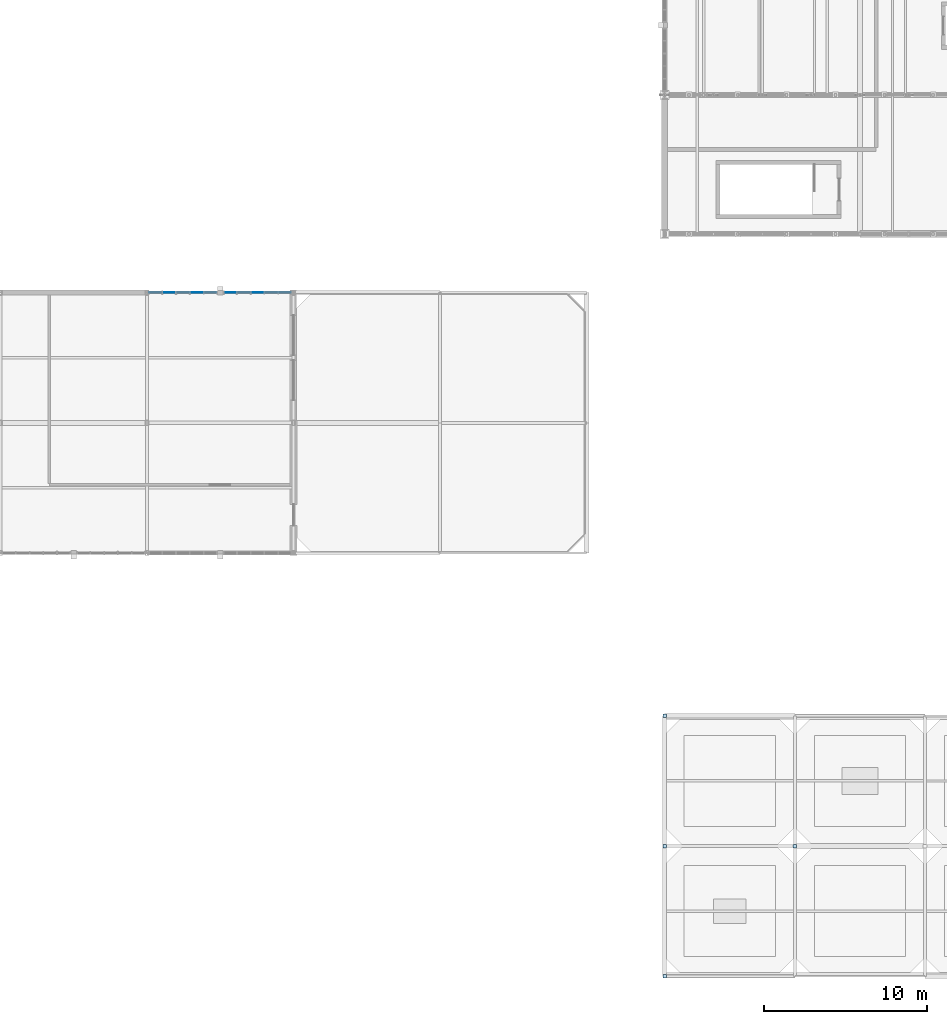
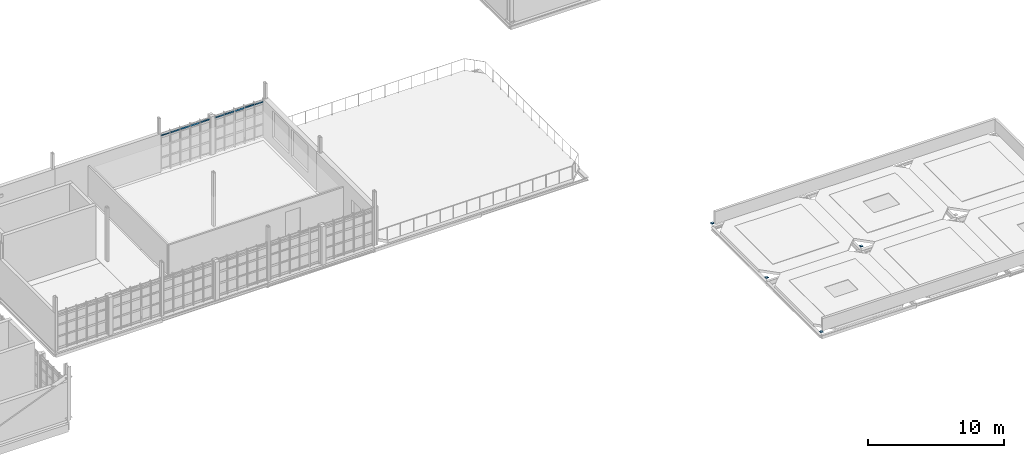
# One storey, part 103 of 128: 14 plates, 2 elements without a shape of their own.
"""IFC4 building model written with IfcOpenShell, lengths in metres."""

from ifc_helpers import new_model, si_unit, direction, frame, origin, origin_2d, place, context, subcontext, project, spatial, rectangle, extrude, material, layer, layer_set, type_object, element, aggregate, save


model = new_model("IFC4")

# Units and contexts
model_context = context("Model", 3, precision=1e-05, world=origin(), true_north=direction((0.0, 1.0)))
body_context = subcontext(model_context, "Body", "Model", "MODEL_VIEW")
ifc_project = project(units=[si_unit("LENGTHUNIT", "METRE"), si_unit("AREAUNIT", "SQUARE_METRE"), si_unit("VOLUMEUNIT", "CUBIC_METRE"), si_unit("PLANEANGLEUNIT", "RADIAN"), si_unit("MASSUNIT", "GRAM", prefix="KILO")], contexts=[model_context])

# Site, building, storey
site_placement = place(None, origin())
site = spatial("IfcSite", under=ifc_project, at=site_placement, CompositionType="ELEMENT")
building_placement = place(site_placement, origin())
building = spatial("IfcBuilding", under=site, at=building_placement, Name="Serraforn Aerial Cableway Station", CompositionType="ELEMENT")
storey_placement = place(building_placement, frame((0.0, 0.0, 9.0)))
storey = spatial("IfcBuildingStorey", under=building, at=storey_placement, Name="L02", CompositionType="ELEMENT", Elevation=9.0)

# Curtain wall, plate
ifc_material_1 = material(Name="Anodised bronze unitised curtain wall")
curtain_wall_type_1 = type_object("IfcCurtainWallType", Name="CW-SYS-1", PredefinedType="USERDEFINED", material=ifc_material_1)
curtain_wall_1_placement = place(storey_placement, origin())
curtain_wall_1 = element("IfcCurtainWall", 1, at=curtain_wall_1_placement, inside=storey, type_object=curtain_wall_type_1, Name="Unitised Curtain Wall CW-EL-L02-N3A", ObjectType="UNITISED CURTAIN WALL", PredefinedType="USERDEFINED")
ifc_material_2 = material(Name="Solar-control low-E double glazing", Category="glass")
ifc_layer_1 = layer(ifc_material_2, 0.02587890625)
ifc_layer_set_1 = layer_set([ifc_layer_1], Name="Solar-control low-E double glazing")
plate_type_1 = type_object("IfcPlateType", Name="CW-GLZ-1", PredefinedType="CURTAIN_PANEL", material=ifc_layer_set_1)
plate_1_placement = place(storey_placement, frame((117.322265625, 42.0, 3.0751953125), z_axis=(0.0, 0.0, 1.0), x_axis=(1.0, 0.0, 0.0)))
plate_1 = element("IfcPlate", 2, at=plate_1_placement, type_object=plate_type_1, Name="Curtain Wall Panel CW-EL-L02-N3A-P5-4", PredefinedType="CURTAIN_PANEL", context=body_context, shape_type="SweptSolid", body=[
    extrude(rectangle(XDim=0.73828125, YDim=0.02587890625, at=origin_2d()), origin(), (0.0, 0.0, 1.0), 0.135009765625),
])

# Curtain wall, plates
curtain_wall_type_2 = type_object("IfcCurtainWallType", Name="CW-SYS-2", PredefinedType="USERDEFINED", material=ifc_material_1)
curtain_wall_2_placement = place(storey_placement, origin())
curtain_wall_2 = element("IfcCurtainWall", 3, at=curtain_wall_2_placement, inside=storey, type_object=curtain_wall_type_2, Name="Unitised Curtain Wall CW-EL-L02-N3B", ObjectType="UNITISED CURTAIN WALL", PredefinedType="USERDEFINED")
plate_2_placement = place(storey_placement, frame((113.56591796875, 42.0, 3.0751953125), z_axis=(0.0, 0.0, 1.0), x_axis=(1.0, 0.0, 0.0)))
plate_2 = element("IfcPlate", 4, at=plate_2_placement, type_object=plate_type_1, Name="Curtain Wall Panel CW-EL-L02-N3B-P4-4", PredefinedType="CURTAIN_PANEL", context=body_context, shape_type="SweptSolid", body=[
    extrude(rectangle(XDim=0.77587890625, YDim=0.02587890625, at=origin_2d()), origin(), (0.0, 0.0, 1.0), 0.135009765625),
])
ifc_layer_2 = layer(ifc_material_2, 0.028076171875)
ifc_layer_set_2 = layer_set([ifc_layer_2], Name="Solar-control low-E double glazing")
plate_type_2 = type_object("IfcPlateType", Name="CW-GLZ-2", PredefinedType="CURTAIN_PANEL", material=ifc_layer_set_2)
plate_3_placement = place(storey_placement, frame((112.72900390625, 42.0, 3.08251953125), z_axis=(0.0, 0.0, 1.0), x_axis=(1.0, 0.0, 0.0)))
plate_3 = element("IfcPlate", 5, at=plate_3_placement, type_object=plate_type_2, Name="Curtain Wall Panel CW-EL-L02-N3B-P5-4", PredefinedType="CURTAIN_PANEL", context=body_context, shape_type="SweptSolid", body=[
    extrude(rectangle(XDim=0.755859375, YDim=0.028076171875, at=origin_2d()), origin(), (0.0, 0.0, 1.0), 0.1201171875),
])

# Plate
ifc_layer_3 = layer(ifc_material_2, 0.033935546875)
ifc_layer_set_3 = layer_set([ifc_layer_3], Name="Solar-control low-E double glazing")
plate_type_3 = type_object("IfcPlateType", Name="CW-GLZ-5", PredefinedType="CURTAIN_PANEL", material=ifc_layer_set_3)
plate_4_placement = place(storey_placement, frame((120.656005859375, 42.0, 3.08251953125), z_axis=(0.0, 0.0, 1.0), x_axis=(1.0, 0.0, 0.0)))
plate_4 = element("IfcPlate", 6, at=plate_4_placement, type_object=plate_type_3, Name="Curtain Wall Panel CW-EL-L02-N3A-P1-4", PredefinedType="CURTAIN_PANEL", context=body_context, shape_type="SweptSolid", body=[
    extrude(rectangle(XDim=0.745849609375, YDim=0.033935546875, at=origin_2d()), origin(), (0.0, 0.0, 1.0), 0.1201171875),
])

ifc_layer_4 = layer(ifc_material_2, 0.035888671875)
ifc_layer_set_4 = layer_set([ifc_layer_4], Name="Solar-control low-E double glazing")
plate_type_4 = type_object("IfcPlateType", Name="CW-GLZ-6", PredefinedType="CURTAIN_PANEL", material=ifc_layer_set_4)
plate_5_placement = place(storey_placement, frame((119.836669921875, 42.0, 3.090087890625), z_axis=(0.0, 0.0, 1.0), x_axis=(1.0, 0.0, 0.0)))
plate_5 = element("IfcPlate", 7, at=plate_5_placement, type_object=plate_type_4, Name="Curtain Wall Panel CW-EL-L02-N3A-P2-4", PredefinedType="CURTAIN_PANEL", context=body_context, shape_type="SweptSolid", body=[
    extrude(rectangle(XDim=0.791015625, YDim=0.035888671875, at=origin_2d()), origin(), (0.0, 0.0, 1.0), 0.14013671875),
])

plate_6_placement = place(storey_placement, frame((116.085205078125, 42.0, 3.090087890625), z_axis=(0.0, 0.0, 1.0), x_axis=(1.0, 0.0, 0.0)))
plate_6 = element("IfcPlate", 8, at=plate_6_placement, type_object=plate_type_4, Name="Curtain Wall Panel CW-EL-L02-N3B-P1-4", PredefinedType="CURTAIN_PANEL", context=body_context, shape_type="SweptSolid", body=[
    extrude(rectangle(XDim=0.763427734375, YDim=0.035888671875, at=origin_2d()), origin(), (0.0, 0.0, 1.0), 0.14013671875),
])

ifc_layer_5 = layer(ifc_material_2, 0.029052734375)
ifc_layer_set_5 = layer_set([ifc_layer_5], Name="Solar-control low-E double glazing")
plate_type_5 = type_object("IfcPlateType", Name="CW-GLZ-7", PredefinedType="CURTAIN_PANEL", material=ifc_layer_set_5)
plate_7_placement = place(storey_placement, frame((118.9921875, 42.0, 3.0625), z_axis=(0.0, 0.0, 1.0), x_axis=(1.0, 0.0, 0.0)))
plate_7 = element("IfcPlate", 9, at=plate_7_placement, type_object=plate_type_5, Name="Curtain Wall Panel CW-EL-L02-N3A-P3-4", PredefinedType="CURTAIN_PANEL", context=body_context, shape_type="SweptSolid", body=[
    extrude(rectangle(XDim=0.785888671875, YDim=0.029052734375, at=origin_2d()), origin(), (0.0, 0.0, 1.0), 0.16259765625),
])

plate_8_placement = place(storey_placement, frame((115.254638671875, 42.0, 3.0625), z_axis=(0.0, 0.0, 1.0), x_axis=(1.0, 0.0, 0.0)))
plate_8 = element("IfcPlate", 10, at=plate_8_placement, type_object=plate_type_5, Name="Curtain Wall Panel CW-EL-L02-N3B-P2-4", PredefinedType="CURTAIN_PANEL", context=body_context, shape_type="SweptSolid", body=[
    extrude(rectangle(XDim=0.785888671875, YDim=0.029052734375, at=origin_2d()), origin(), (0.0, 0.0, 1.0), 0.16259765625),
])

ifc_layer_6 = layer(ifc_material_2, 0.031005859375)
ifc_layer_set_6 = layer_set([ifc_layer_6], Name="Solar-control low-E double glazing")
plate_type_6 = type_object("IfcPlateType", Name="CW-GLZ-8", PredefinedType="CURTAIN_PANEL", material=ifc_layer_set_6)
plate_9_placement = place(storey_placement, frame((118.147705078125, 42.0, 3.0673828125), z_axis=(0.0, 0.0, 1.0), x_axis=(1.0, 0.0, 0.0)))
plate_9 = element("IfcPlate", 11, at=plate_9_placement, type_object=plate_type_6, Name="Curtain Wall Panel CW-EL-L02-N3A-P4-4", PredefinedType="CURTAIN_PANEL", context=body_context, shape_type="SweptSolid", body=[
    extrude(rectangle(XDim=0.781005859375, YDim=0.031005859375, at=origin_2d()), origin(), (0.0, 0.0, 1.0), 0.150146484375),
])

aggregate(curtain_wall_1, [plate_4, plate_5, plate_7, plate_9, plate_1])

plate_10_placement = place(storey_placement, frame((114.410400390625, 42.0, 3.0673828125), z_axis=(0.0, 0.0, 1.0), x_axis=(1.0, 0.0, 0.0)))
plate_10 = element("IfcPlate", 12, at=plate_10_placement, type_object=plate_type_6, Name="Curtain Wall Panel CW-EL-L02-N3B-P3-4", PredefinedType="CURTAIN_PANEL", context=body_context, shape_type="SweptSolid", body=[
    extrude(rectangle(XDim=0.781005859375, YDim=0.031005859375, at=origin_2d()), origin(), (0.0, 0.0, 1.0), 0.150146484375),
])

aggregate(curtain_wall_2, [plate_6, plate_8, plate_10, plate_2, plate_3])

# Plates
ifc_material_3 = material(Name="Steel S355J2", Category="steel")
ifc_layer_7 = layer(ifc_material_3, 0.02490234375)
ifc_layer_set_7 = layer_set([ifc_layer_7], Name="Steel S355J2")
plate_type_7 = type_object("IfcPlateType", Name="PLT-ECP-SHS200", PredefinedType="USERDEFINED", material=ifc_layer_set_7)
for number, where, z_axis, x_axis, name in (
    (13, (144.0, 0.0, -0.0009765625), (0.0, 0.0, 1.0), (1.0, 0.0, 0.0), "Hollow Column End Cap COL-ES-L01-19-A"),
    (14, (144.0, 8.0, -0.0009765625), (0.0, 0.0, 1.0), (1.0, 0.0, 0.0), "Hollow Column End Cap COL-ES-L01-19-B0"),
    (15, (144.0, 16.0, -0.0009765625), (0.0, 0.0, 1.0), (1.0, 0.0, 0.0), "Hollow Column End Cap COL-ES-L01-19-B3"),
    (16, (152.0, 8.0, -0.0009765625), (0.0, 0.0, 1.0), (1.0, 0.0, 0.0), "Hollow Column End Cap COL-ES-L01-20-B0"),
):
    element("IfcPlate", number, at=place(storey_placement, frame(where, z_axis=z_axis, x_axis=x_axis)), inside=storey, type_object=plate_type_7, Name=name, ObjectType="END CAP PLATE", PredefinedType="USERDEFINED", context=body_context, shape_type="SweptSolid", body=[
        extrude(rectangle(XDim=0.219970703125, YDim=0.219970703125, at=origin_2d()), origin(), (0.0, 0.0, 1.0), 0.02490234375),
    ])

save(model, "model.ifc")
